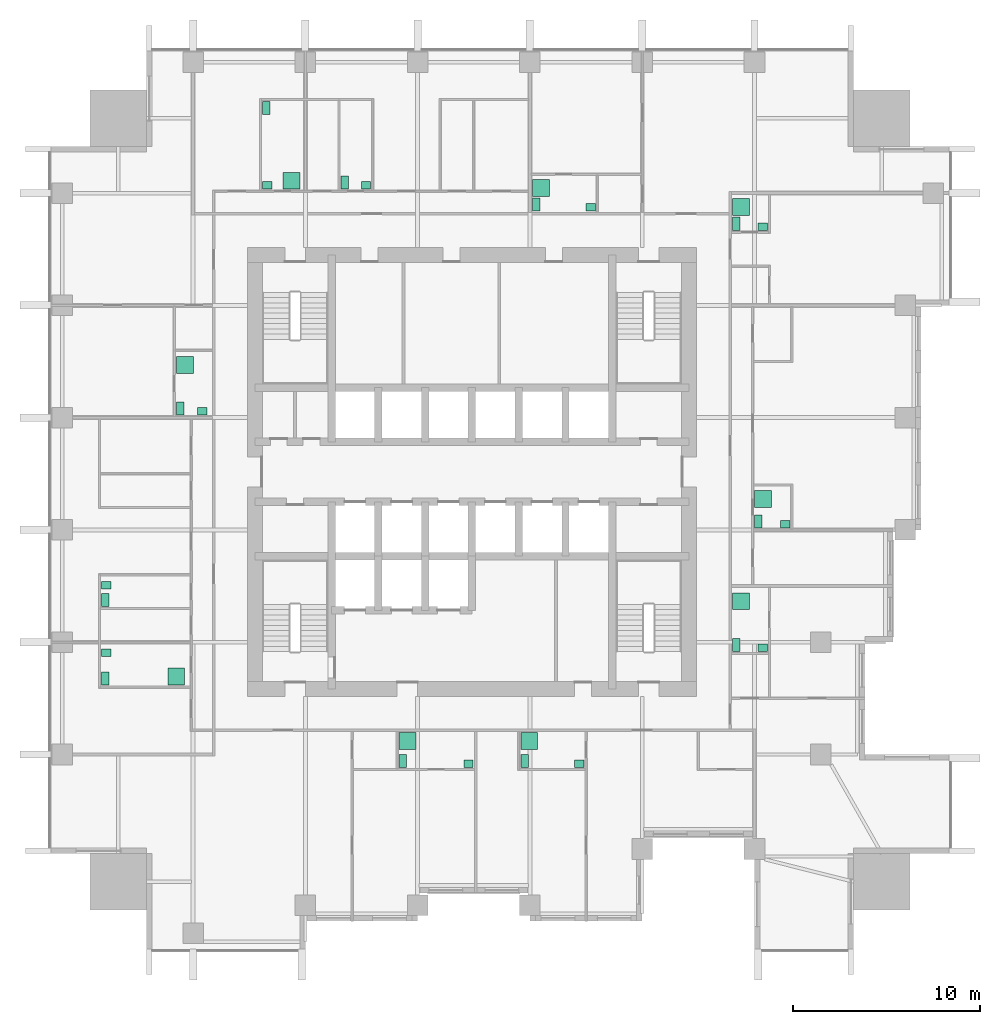
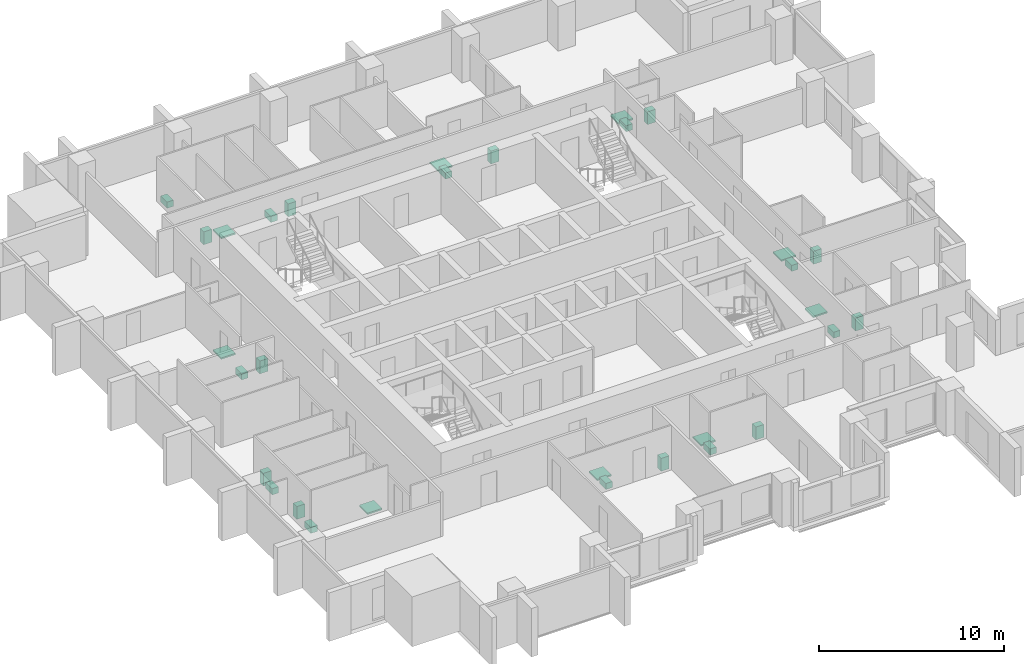
# One storey, part 10 of 10: 31 sanitary terminals.
"""IFC4 building model written with IfcOpenShell, lengths in metres."""

from ifc_helpers import new_model, si_unit, direction, frame, origin, origin_2d, place, context, subcontext, project, spatial, rectangle, extrude, element, save


model = new_model("IFC4")

# Units and contexts
model_context = context("Model", 3, precision=1e-05, world=origin(), true_north=direction((0.0, 1.0)))
body_context = subcontext(model_context, "Body", "Model", "MODEL_VIEW")
ifc_project = project(units=[si_unit("LENGTHUNIT", "METRE"), si_unit("AREAUNIT", "SQUARE_METRE"), si_unit("VOLUMEUNIT", "CUBIC_METRE"), si_unit("PLANEANGLEUNIT", "RADIAN"), si_unit("MASSUNIT", "GRAM", prefix="KILO")], contexts=[model_context])

# Site, building, storey
site_placement = place(None, origin())
site = spatial("IfcSite", under=ifc_project, at=site_placement, CompositionType="ELEMENT")
building_placement = place(site_placement, origin())
building = spatial("IfcBuilding", under=site, at=building_placement, Name="Amberfall Residences", CompositionType="ELEMENT")
storey_placement = place(building_placement, frame((0.0, 0.0, 121.60009765625)))
storey = spatial("IfcBuildingStorey", under=building, at=storey_placement, Name="L33", CompositionType="ELEMENT", Elevation=121.60009765625)

# Sanitary terminals
sanitary_terminal_1_placement = place(storey_placement, frame((70.81005859375, 30.06005859375, 0.0), z_axis=(0.0, 0.0, 1.0), x_axis=(1.0, 0.0, 0.0)))
element("IfcSanitaryTerminal", 1, at=sanitary_terminal_1_placement, inside=storey, Name="Water closet 3301", PredefinedType="TOILETPAN", context=body_context, shape_type="SweptSolid", body=[
    extrude(rectangle(XDim=0.39990234375, YDim=0.699951171875, at=origin_2d()), origin(), (0.0, 0.0, 1.0), 0.39990234375),
])
sanitary_terminal_2_placement = place(storey_placement, frame((74.31494140625, 29.909912109375, -0.000244140625), z_axis=(0.0, 0.0, 1.0), x_axis=(1.0, 0.0, 0.0)))
element("IfcSanitaryTerminal", 2, at=sanitary_terminal_2_placement, inside=storey, Name="Basin 3301", PredefinedType="WASHHANDBASIN", context=body_context, shape_type="SweptSolid", body=[
    extrude(rectangle(XDim=0.5, YDim=0.39990234375, at=origin_2d()), origin(), (0.0, 0.0, 1.0), 0.85009765625),
])
sanitary_terminal_3_placement = place(storey_placement, frame((71.06005859375, 31.114990234375, -0.000244140625), z_axis=(0.0, 0.0, 1.0), x_axis=(1.0, 0.0, 0.0)))
element("IfcSanitaryTerminal", 3, at=sanitary_terminal_3_placement, inside=storey, Name="Shower tray 3301", PredefinedType="SHOWER", context=body_context, shape_type="SweptSolid", body=[
    extrude(rectangle(XDim=0.89990234375, YDim=0.89990234375, at=origin_2d()), origin(), (0.0, 0.0, 1.0), 0.10009765625),
])
sanitary_terminal_4_placement = place(storey_placement, frame((77.31005859375, 30.06005859375, 0.0), z_axis=(0.0, 0.0, 1.0), x_axis=(1.0, 0.0, 0.0)))
element("IfcSanitaryTerminal", 4, at=sanitary_terminal_4_placement, inside=storey, Name="Water closet 3302", PredefinedType="TOILETPAN", context=body_context, shape_type="SweptSolid", body=[
    extrude(rectangle(XDim=0.39990234375, YDim=0.699951171875, at=origin_2d()), origin(), (0.0, 0.0, 1.0), 0.39990234375),
])
sanitary_terminal_5_placement = place(storey_placement, frame((80.239990234375, 29.909912109375, -0.000244140625), z_axis=(0.0, 0.0, 1.0), x_axis=(1.0, 0.0, 0.0)))
element("IfcSanitaryTerminal", 5, at=sanitary_terminal_5_placement, inside=storey, Name="Basin 3302", PredefinedType="WASHHANDBASIN", context=body_context, shape_type="SweptSolid", body=[
    extrude(rectangle(XDim=0.5, YDim=0.39990234375, at=origin_2d()), origin(), (0.0, 0.0, 1.0), 0.85009765625),
])
sanitary_terminal_6_placement = place(storey_placement, frame((77.56005859375, 31.114990234375, -0.000244140625), z_axis=(0.0, 0.0, 1.0), x_axis=(1.0, 0.0, 0.0)))
element("IfcSanitaryTerminal", 6, at=sanitary_terminal_6_placement, inside=storey, Name="Shower tray 3302", PredefinedType="SHOWER", context=body_context, shape_type="SweptSolid", body=[
    extrude(rectangle(XDim=0.89990234375, YDim=0.89990234375, at=origin_2d()), origin(), (0.0, 0.0, 1.0), 0.10009765625),
])
sanitary_terminal_7_placement = place(storey_placement, frame((88.635009765625, 36.260009765625, 0.0), z_axis=(0.0, 0.0, 1.0), x_axis=(1.0, 0.0, 0.0)))
element("IfcSanitaryTerminal", 7, at=sanitary_terminal_7_placement, inside=storey, Name="Water closet 3303", PredefinedType="TOILETPAN", context=body_context, shape_type="SweptSolid", body=[
    extrude(rectangle(XDim=0.39990234375, YDim=0.699951171875, at=origin_2d()), origin(), (0.0, 0.0, 1.0), 0.39990234375),
])
sanitary_terminal_8_placement = place(storey_placement, frame((90.0400390625, 36.110107421875, -0.000244140625), z_axis=(0.0, 0.0, 1.0), x_axis=(1.0, 0.0, 0.0)))
element("IfcSanitaryTerminal", 8, at=sanitary_terminal_8_placement, inside=storey, Name="Basin 3303", PredefinedType="WASHHANDBASIN", context=body_context, shape_type="SweptSolid", body=[
    extrude(rectangle(XDim=0.5, YDim=0.39990234375, at=origin_2d()), origin(), (0.0, 0.0, 1.0), 0.85009765625),
])
sanitary_terminal_9_placement = place(storey_placement, frame((88.885009765625, 38.591796875, -0.000244140625), z_axis=(0.0, 0.0, 1.0), x_axis=(1.0, 0.0, 0.0)))
element("IfcSanitaryTerminal", 9, at=sanitary_terminal_9_placement, inside=storey, Name="Shower tray 3303", PredefinedType="SHOWER", context=body_context, shape_type="SweptSolid", body=[
    extrude(rectangle(XDim=0.89990234375, YDim=0.89990234375, at=origin_2d()), origin(), (0.0, 0.0, 1.0), 0.10009765625),
])
sanitary_terminal_10_placement = place(storey_placement, frame((89.81005859375, 42.860107421875, 0.0), z_axis=(0.0, 0.0, 1.0), x_axis=(1.0, 0.0, 0.0)))
element("IfcSanitaryTerminal", 10, at=sanitary_terminal_10_placement, inside=storey, Name="Water closet 3304", PredefinedType="TOILETPAN", context=body_context, shape_type="SweptSolid", body=[
    extrude(rectangle(XDim=0.39990234375, YDim=0.699951171875, at=origin_2d()), origin(), (0.0, 0.0, 1.0), 0.39990234375),
])
sanitary_terminal_11_placement = place(storey_placement, frame((91.239990234375, 42.7099609375, -0.000244140625), z_axis=(0.0, 0.0, 1.0), x_axis=(1.0, 0.0, 0.0)))
element("IfcSanitaryTerminal", 11, at=sanitary_terminal_11_placement, inside=storey, Name="Basin 3304", PredefinedType="WASHHANDBASIN", context=body_context, shape_type="SweptSolid", body=[
    extrude(rectangle(XDim=0.5, YDim=0.39990234375, at=origin_2d()), origin(), (0.0, 0.0, 1.0), 0.85009765625),
])
sanitary_terminal_12_placement = place(storey_placement, frame((90.06005859375, 44.05712890625, -0.000244140625), z_axis=(0.0, 0.0, 1.0), x_axis=(1.0, 0.0, 0.0)))
element("IfcSanitaryTerminal", 12, at=sanitary_terminal_12_placement, inside=storey, Name="Shower tray 3304", PredefinedType="SHOWER", context=body_context, shape_type="SweptSolid", body=[
    extrude(rectangle(XDim=0.89990234375, YDim=0.89990234375, at=origin_2d()), origin(), (0.0, 0.0, 1.0), 0.10009765625),
])
sanitary_terminal_13_placement = place(storey_placement, frame((88.635009765625, 58.760009765625, 0.0), z_axis=(0.0, 0.0, 1.0), x_axis=(1.0, 0.0, 0.0)))
element("IfcSanitaryTerminal", 13, at=sanitary_terminal_13_placement, inside=storey, Name="Water closet 3305", PredefinedType="TOILETPAN", context=body_context, shape_type="SweptSolid", body=[
    extrude(rectangle(XDim=0.39990234375, YDim=0.699951171875, at=origin_2d()), origin(), (0.0, 0.0, 1.0), 0.39990234375),
])
sanitary_terminal_14_placement = place(storey_placement, frame((90.0400390625, 58.610107421875, -0.000244140625), z_axis=(0.0, 0.0, 1.0), x_axis=(1.0, 0.0, 0.0)))
element("IfcSanitaryTerminal", 14, at=sanitary_terminal_14_placement, inside=storey, Name="Basin 3305", PredefinedType="WASHHANDBASIN", context=body_context, shape_type="SweptSolid", body=[
    extrude(rectangle(XDim=0.5, YDim=0.39990234375, at=origin_2d()), origin(), (0.0, 0.0, 1.0), 0.85009765625),
])
sanitary_terminal_15_placement = place(storey_placement, frame((88.885009765625, 59.65576171875, -0.000244140625), z_axis=(0.0, 0.0, 1.0), x_axis=(1.0, 0.0, 0.0)))
element("IfcSanitaryTerminal", 15, at=sanitary_terminal_15_placement, inside=storey, Name="Shower tray 3305", PredefinedType="SHOWER", context=body_context, shape_type="SweptSolid", body=[
    extrude(rectangle(XDim=0.89990234375, YDim=0.89990234375, at=origin_2d()), origin(), (0.0, 0.0, 1.0), 0.10009765625),
])
sanitary_terminal_16_placement = place(storey_placement, frame((67.7099609375, 60.9599609375, 0.0), z_axis=(0.0, 0.0, 1.0), x_axis=(1.0, 0.0, 0.0)))
element("IfcSanitaryTerminal", 16, at=sanitary_terminal_16_placement, inside=storey, Name="Water closet 3306 1", PredefinedType="TOILETPAN", context=body_context, shape_type="SweptSolid", body=[
    extrude(rectangle(XDim=0.39990234375, YDim=0.699951171875, at=origin_2d()), origin(), (0.0, 0.0, 1.0), 0.39990234375),
])
sanitary_terminal_17_placement = place(storey_placement, frame((68.840087890625, 60.81005859375, -0.000244140625), z_axis=(0.0, 0.0, 1.0), x_axis=(1.0, 0.0, 0.0)))
element("IfcSanitaryTerminal", 17, at=sanitary_terminal_17_placement, inside=storey, Name="Basin 3306 1", PredefinedType="WASHHANDBASIN", context=body_context, shape_type="SweptSolid", body=[
    extrude(rectangle(XDim=0.5, YDim=0.39990234375, at=origin_2d()), origin(), (0.0, 0.0, 1.0), 0.85009765625),
])
sanitary_terminal_18_placement = place(storey_placement, frame((63.510009765625, 64.93994140625, 0.0), z_axis=(0.0, 0.0, 1.0), x_axis=(1.0, 0.0, 0.0)))
element("IfcSanitaryTerminal", 18, at=sanitary_terminal_18_placement, inside=storey, Name="Water closet 3306", PredefinedType="TOILETPAN", context=body_context, shape_type="SweptSolid", body=[
    extrude(rectangle(XDim=0.39990234375, YDim=0.699951171875, at=origin_2d()), origin(), (0.0, 0.0, 1.0), 0.39990234375),
])
sanitary_terminal_19_placement = place(storey_placement, frame((63.56005859375, 60.81005859375, -0.000244140625), z_axis=(0.0, 0.0, 1.0), x_axis=(1.0, 0.0, 0.0)))
element("IfcSanitaryTerminal", 19, at=sanitary_terminal_19_placement, inside=storey, Name="Basin 3306", PredefinedType="WASHHANDBASIN", context=body_context, shape_type="SweptSolid", body=[
    extrude(rectangle(XDim=0.5, YDim=0.39990234375, at=origin_2d()), origin(), (0.0, 0.0, 1.0), 0.85009765625),
])
sanitary_terminal_20_placement = place(storey_placement, frame((64.857177734375, 61.06005859375, -0.000244140625), z_axis=(0.0, 0.0, 1.0), x_axis=(1.0, 0.0, 0.0)))
element("IfcSanitaryTerminal", 20, at=sanitary_terminal_20_placement, inside=storey, Name="Shower tray 3306", PredefinedType="SHOWER", context=body_context, shape_type="SweptSolid", body=[
    extrude(rectangle(XDim=0.89990234375, YDim=0.89990234375, at=origin_2d()), origin(), (0.0, 0.0, 1.0), 0.10009765625),
])
sanitary_terminal_21_placement = place(storey_placement, frame((77.93505859375, 59.784912109375, 0.0), z_axis=(0.0, 0.0, 1.0), x_axis=(1.0, 0.0, 0.0)))
element("IfcSanitaryTerminal", 21, at=sanitary_terminal_21_placement, inside=storey, Name="Water closet 3307", PredefinedType="TOILETPAN", context=body_context, shape_type="SweptSolid", body=[
    extrude(rectangle(XDim=0.39990234375, YDim=0.699951171875, at=origin_2d()), origin(), (0.0, 0.0, 1.0), 0.39990234375),
])
sanitary_terminal_22_placement = place(storey_placement, frame((80.840087890625, 59.635009765625, -0.000244140625), z_axis=(0.0, 0.0, 1.0), x_axis=(1.0, 0.0, 0.0)))
element("IfcSanitaryTerminal", 22, at=sanitary_terminal_22_placement, inside=storey, Name="Basin 3307", PredefinedType="WASHHANDBASIN", context=body_context, shape_type="SweptSolid", body=[
    extrude(rectangle(XDim=0.5, YDim=0.39990234375, at=origin_2d()), origin(), (0.0, 0.0, 1.0), 0.85009765625),
])
sanitary_terminal_23_placement = place(storey_placement, frame((78.18505859375, 60.680908203125, -0.000244140625), z_axis=(0.0, 0.0, 1.0), x_axis=(1.0, 0.0, 0.0)))
element("IfcSanitaryTerminal", 23, at=sanitary_terminal_23_placement, inside=storey, Name="Shower tray 3307", PredefinedType="SHOWER", context=body_context, shape_type="SweptSolid", body=[
    extrude(rectangle(XDim=0.89990234375, YDim=0.89990234375, at=origin_2d()), origin(), (0.0, 0.0, 1.0), 0.10009765625),
])
sanitary_terminal_24_placement = place(storey_placement, frame((54.909912109375, 38.659912109375, 0.0), z_axis=(0.0, 0.0, 1.0), x_axis=(1.0, 0.0, 0.0)))
element("IfcSanitaryTerminal", 24, at=sanitary_terminal_24_placement, inside=storey, Name="Water closet 3308 1", PredefinedType="TOILETPAN", context=body_context, shape_type="SweptSolid", body=[
    extrude(rectangle(XDim=0.39990234375, YDim=0.699951171875, at=origin_2d()), origin(), (0.0, 0.0, 1.0), 0.39990234375),
])
sanitary_terminal_25_placement = place(storey_placement, frame((54.9599609375, 39.4541015625, -0.000244140625), z_axis=(0.0, 0.0, 1.0), x_axis=(1.0, 0.0, 0.0)))
element("IfcSanitaryTerminal", 25, at=sanitary_terminal_25_placement, inside=storey, Name="Basin 3308 1", PredefinedType="WASHHANDBASIN", context=body_context, shape_type="SweptSolid", body=[
    extrude(rectangle(XDim=0.5, YDim=0.39990234375, at=origin_2d()), origin(), (0.0, 0.0, 1.0), 0.85009765625),
])
sanitary_terminal_26_placement = place(storey_placement, frame((54.909912109375, 34.4599609375, 0.0), z_axis=(0.0, 0.0, 1.0), x_axis=(1.0, 0.0, 0.0)))
element("IfcSanitaryTerminal", 26, at=sanitary_terminal_26_placement, inside=storey, Name="Water closet 3308", PredefinedType="TOILETPAN", context=body_context, shape_type="SweptSolid", body=[
    extrude(rectangle(XDim=0.39990234375, YDim=0.699951171875, at=origin_2d()), origin(), (0.0, 0.0, 1.0), 0.39990234375),
])
sanitary_terminal_27_placement = place(storey_placement, frame((54.9599609375, 35.835693359375, -0.000244140625), z_axis=(0.0, 0.0, 1.0), x_axis=(1.0, 0.0, 0.0)))
element("IfcSanitaryTerminal", 27, at=sanitary_terminal_27_placement, inside=storey, Name="Basin 3308", PredefinedType="WASHHANDBASIN", context=body_context, shape_type="SweptSolid", body=[
    extrude(rectangle(XDim=0.5, YDim=0.39990234375, at=origin_2d()), origin(), (0.0, 0.0, 1.0), 0.85009765625),
])
sanitary_terminal_28_placement = place(storey_placement, frame((58.703857421875, 34.56005859375, -0.000244140625), z_axis=(0.0, 0.0, 1.0), x_axis=(1.0, 0.0, 0.0)))
element("IfcSanitaryTerminal", 28, at=sanitary_terminal_28_placement, inside=storey, Name="Shower tray 3308", PredefinedType="SHOWER", context=body_context, shape_type="SweptSolid", body=[
    extrude(rectangle(XDim=0.89990234375, YDim=0.89990234375, at=origin_2d()), origin(), (0.0, 0.0, 1.0), 0.10009765625),
])
sanitary_terminal_29_placement = place(storey_placement, frame((58.909912109375, 48.885009765625, 0.0), z_axis=(0.0, 0.0, 1.0), x_axis=(1.0, 0.0, 0.0)))
element("IfcSanitaryTerminal", 29, at=sanitary_terminal_29_placement, inside=storey, Name="Water closet 3309", PredefinedType="TOILETPAN", context=body_context, shape_type="SweptSolid", body=[
    extrude(rectangle(XDim=0.39990234375, YDim=0.699951171875, at=origin_2d()), origin(), (0.0, 0.0, 1.0), 0.39990234375),
])
sanitary_terminal_30_placement = place(storey_placement, frame((60.089111328125, 48.735107421875, -0.000244140625), z_axis=(0.0, 0.0, 1.0), x_axis=(1.0, 0.0, 0.0)))
element("IfcSanitaryTerminal", 30, at=sanitary_terminal_30_placement, inside=storey, Name="Basin 3309", PredefinedType="WASHHANDBASIN", context=body_context, shape_type="SweptSolid", body=[
    extrude(rectangle(XDim=0.5, YDim=0.39990234375, at=origin_2d()), origin(), (0.0, 0.0, 1.0), 0.85009765625),
])
sanitary_terminal_31_placement = place(storey_placement, frame((59.159912109375, 51.216796875, -0.000244140625), z_axis=(0.0, 0.0, 1.0), x_axis=(1.0, 0.0, 0.0)))
element("IfcSanitaryTerminal", 31, at=sanitary_terminal_31_placement, inside=storey, Name="Shower tray 3309", PredefinedType="SHOWER", context=body_context, shape_type="SweptSolid", body=[
    extrude(rectangle(XDim=0.89990234375, YDim=0.89990234375, at=origin_2d()), origin(), (0.0, 0.0, 1.0), 0.10009765625),
])

save(model, "model.ifc")
